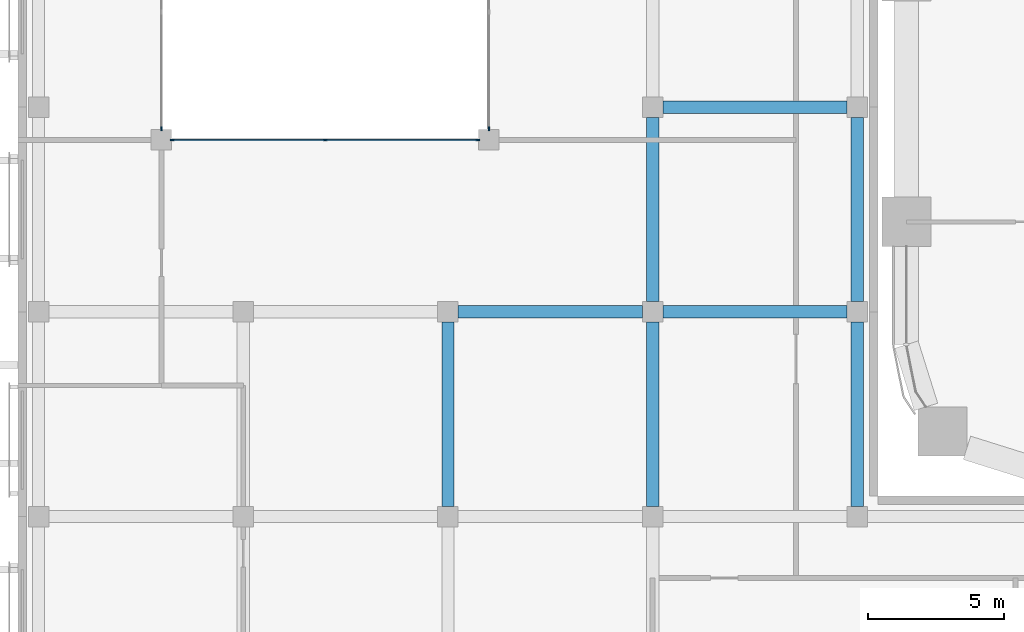
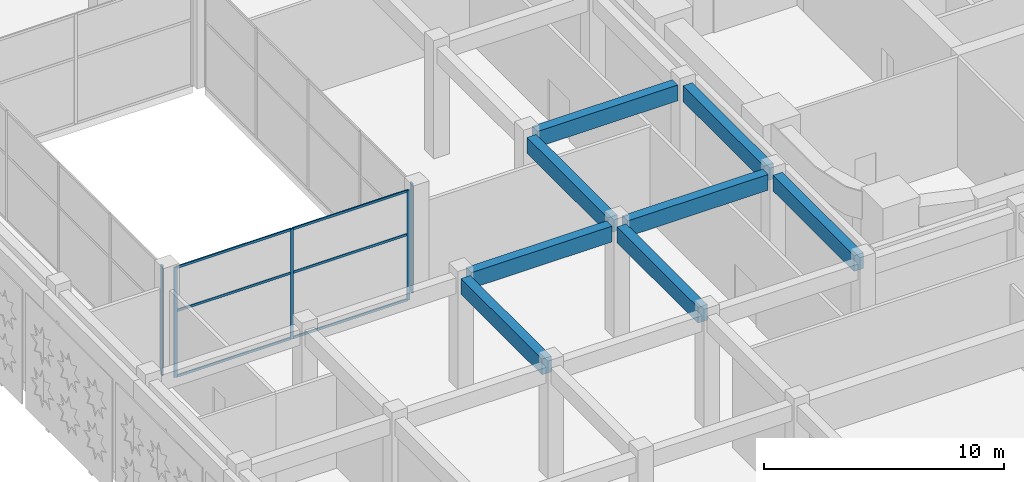
# One storey, part 2 of 46: 11 members, 8 beams, 3 elements without a shape of their own.
"""IFC4 building model written with IfcOpenShell, lengths in metres."""

from ifc_helpers import new_model, si_unit, direction, frame, origin, origin_2d, place, context, subcontext, project, spatial, rectangle, extrude, material, layer, layer_set, material_profile, profile_set, type_object, element, aggregate, save


model = new_model("IFC4")

# Units and contexts
model_context = context("Model", 3, precision=1e-05, world=origin(), true_north=direction((0.0, 1.0)))
body_context = subcontext(model_context, "Body", "Model", "MODEL_VIEW")
ifc_project = project(units=[si_unit("LENGTHUNIT", "METRE"), si_unit("AREAUNIT", "SQUARE_METRE"), si_unit("VOLUMEUNIT", "CUBIC_METRE"), si_unit("PLANEANGLEUNIT", "RADIAN"), si_unit("MASSUNIT", "GRAM", prefix="KILO")], contexts=[model_context])

# Site, building, storey
site_placement = place(None, origin())
site = spatial("IfcSite", under=ifc_project, at=site_placement, CompositionType="ELEMENT")
building_placement = place(site_placement, origin())
building = spatial("IfcBuilding", under=site, at=building_placement, Name="Tessera Arch", CompositionType="ELEMENT")
storey_placement = place(building_placement, frame((0.0, 0.0, 8.0)))
storey = spatial("IfcBuildingStorey", under=building, at=storey_placement, Name="L01", CompositionType="ELEMENT", Elevation=8.0)

# Curtain wall, members
ifc_material_1 = material(Name="Aluminium and clear glass", Category="aluminium")
ifc_layer = layer(ifc_material_1, 0.1201171875)
ifc_layer_set = layer_set([ifc_layer], Name="Courtyard curtain wall")
curtain_wall_type = type_object("IfcCurtainWallType", Name="Courtyard curtain wall", PredefinedType="NOTDEFINED", material=ifc_layer_set)
curtain_wall_1_placement = place(storey_placement, origin())
curtain_wall_1 = element("IfcCurtainWall", 1, at=curtain_wall_1_placement, inside=storey, type_object=curtain_wall_type, Name="Courtyard curtain wall L01 1", PredefinedType="NOTDEFINED")
ifc_material_2 = material(Name="Aluminium alloy anodised", Category="aluminium")
ifc_material_profile_1 = material_profile(ifc_material_2, rectangle(XDim=0.06005859375, YDim=0.14990234375, at=origin_2d()), Name="Courtyard mullion")
ifc_profile_set_1 = profile_set([ifc_material_profile_1], Name="Aluminium alloy anodised")
member_type_1 = type_object("IfcMemberType", Name="Courtyard mullion", PredefinedType="MULLION", material=ifc_profile_set_1)
member_1_placement = place(storey_placement, frame((-26.89501953125, 12.0, 0.0), z_axis=(0.0, 0.0, 1.0), x_axis=(0.0, 1.0, 0.0)))
member_1 = element("IfcMember", 2, at=member_1_placement, type_object=member_type_1, Name="MCW1 mullion 1", PredefinedType="MULLION", context=body_context, shape_type="SweptSolid", body=[
    extrude(rectangle(XDim=0.06005859375, YDim=0.14990234375, at=origin_2d()), origin(), (0.0, 0.0, 1.0), 5.590087890625),
])
member_2_placement = place(storey_placement, frame((-21.300048828125, 12.0, 0.0), z_axis=(0.0, 0.0, 1.0), x_axis=(0.0, 1.0, 0.0)))
member_2 = element("IfcMember", 3, at=member_2_placement, type_object=member_type_1, Name="MCW1 mullion 2", PredefinedType="MULLION", context=body_context, shape_type="SweptSolid", body=[
    extrude(rectangle(XDim=0.06005859375, YDim=0.14990234375, at=origin_2d()), origin(), (0.0, 0.0, 1.0), 5.590087890625),
])
member_3_placement = place(storey_placement, frame((-15.705078125, 12.0, 0.0), z_axis=(0.0, 0.0, 1.0), x_axis=(0.0, 1.0, 0.0)))
member_3 = element("IfcMember", 4, at=member_3_placement, type_object=member_type_1, Name="MCW1 mullion 3", PredefinedType="MULLION", context=body_context, shape_type="SweptSolid", body=[
    extrude(rectangle(XDim=0.06005859375, YDim=0.14990234375, at=origin_2d()), origin(), (0.0, 0.0, 1.0), 5.590087890625),
])

# Curtain wall, member
curtain_wall_2_placement = place(storey_placement, origin())
curtain_wall_2 = element("IfcCurtainWall", 5, at=curtain_wall_2_placement, inside=storey, type_object=curtain_wall_type, Name="Courtyard curtain wall L01 2", PredefinedType="NOTDEFINED")
member_4_placement = place(storey_placement, frame((-15.300048828125, 12.405029296875, 0.0), z_axis=(0.0, 0.0, 1.0), x_axis=(-1.0, 0.0, 0.0)))
member_4 = element("IfcMember", 6, at=member_4_placement, type_object=member_type_1, Name="MCW1 mullion 1", PredefinedType="MULLION", context=body_context, shape_type="SweptSolid", body=[
    extrude(rectangle(XDim=0.06005859375, YDim=0.14990234375, at=origin_2d()), origin(), (0.0, 0.0, 1.0), 5.590087890625),
])
aggregate(curtain_wall_2, [member_4])

curtain_wall_3_placement = place(storey_placement, origin())
curtain_wall_3 = element("IfcCurtainWall", 7, at=curtain_wall_3_placement, inside=storey, type_object=curtain_wall_type, Name="Courtyard curtain wall L01 4", PredefinedType="NOTDEFINED")
member_5_placement = place(storey_placement, frame((-27.300048828125, 12.405029296875, 0.0), z_axis=(0.0, 0.0, 1.0), x_axis=(1.0, 0.0, 0.0)))
member_5 = element("IfcMember", 8, at=member_5_placement, type_object=member_type_1, Name="MCW1 mullion 5", PredefinedType="MULLION", context=body_context, shape_type="SweptSolid", body=[
    extrude(rectangle(XDim=0.06005859375, YDim=0.14990234375, at=origin_2d()), origin(), (0.0, 0.0, 1.0), 5.590087890625),
])
aggregate(curtain_wall_3, [member_5])

# Member
ifc_material_3 = material(Name="Aluminium alloy anodised", Category="aluminium")
ifc_material_profile_2 = material_profile(ifc_material_3, rectangle(XDim=0.06005859375, YDim=0.1201171875, at=origin_2d()), Name="Courtyard transom")
ifc_profile_set_2 = profile_set([ifc_material_profile_2], Name="Aluminium alloy anodised")
member_type_2 = type_object("IfcMemberType", Name="Courtyard transom", PredefinedType="USERDEFINED", material=ifc_profile_set_2)
member_6_placement = place(storey_placement, frame((-26.864990234375, 12.0, 0.030029296875), z_axis=(1.0, 0.0, 0.0), x_axis=(0.0, 1.0, 0.0)))
member_6 = element("IfcMember", 9, at=member_6_placement, type_object=member_type_2, Name="MCW1 transom 1.1", ObjectType="TRANSOM", PredefinedType="USERDEFINED", context=body_context, shape_type="SweptSolid", body=[
    extrude(rectangle(XDim=0.06005859375, YDim=0.1201171875, at=origin_2d()), origin(), (0.0, 0.0, 1.0), 5.534912109375),
])

member_7_placement = place(storey_placement, frame((-26.864990234375, 12.0, 3.35400390625), z_axis=(1.0, 0.0, 0.0), x_axis=(0.0, 1.0, 0.0)))
member_7 = element("IfcMember", 10, at=member_7_placement, type_object=member_type_2, Name="MCW1 transom 1.2", ObjectType="TRANSOM", PredefinedType="USERDEFINED", context=body_context, shape_type="SweptSolid", body=[
    extrude(rectangle(XDim=0.06005859375, YDim=0.1201171875, at=origin_2d()), origin(), (0.0, 0.0, 1.0), 5.534912109375),
])

member_8_placement = place(storey_placement, frame((-26.864990234375, 12.0, 5.56005859375), z_axis=(1.0, 0.0, 0.0), x_axis=(0.0, 1.0, 0.0)))
member_8 = element("IfcMember", 11, at=member_8_placement, type_object=member_type_2, Name="MCW1 transom 1.3", ObjectType="TRANSOM", PredefinedType="USERDEFINED", context=body_context, shape_type="SweptSolid", body=[
    extrude(rectangle(XDim=0.06005859375, YDim=0.1201171875, at=origin_2d()), origin(), (0.0, 0.0, 1.0), 5.534912109375),
])

member_9_placement = place(storey_placement, frame((-21.27001953125, 12.0, 0.030029296875), z_axis=(1.0, 0.0, 0.0), x_axis=(0.0, 1.0, 0.0)))
member_9 = element("IfcMember", 12, at=member_9_placement, type_object=member_type_2, Name="MCW1 transom 2.1", ObjectType="TRANSOM", PredefinedType="USERDEFINED", context=body_context, shape_type="SweptSolid", body=[
    extrude(rectangle(XDim=0.06005859375, YDim=0.1201171875, at=origin_2d()), origin(), (0.0, 0.0, 1.0), 5.534912109375),
])

member_10_placement = place(storey_placement, frame((-21.27001953125, 12.0, 3.35400390625), z_axis=(1.0, 0.0, 0.0), x_axis=(0.0, 1.0, 0.0)))
member_10 = element("IfcMember", 13, at=member_10_placement, type_object=member_type_2, Name="MCW1 transom 2.2", ObjectType="TRANSOM", PredefinedType="USERDEFINED", context=body_context, shape_type="SweptSolid", body=[
    extrude(rectangle(XDim=0.06005859375, YDim=0.1201171875, at=origin_2d()), origin(), (0.0, 0.0, 1.0), 5.534912109375),
])

member_11_placement = place(storey_placement, frame((-21.27001953125, 12.0, 5.56005859375), z_axis=(1.0, 0.0, 0.0), x_axis=(0.0, 1.0, 0.0)))
member_11 = element("IfcMember", 14, at=member_11_placement, type_object=member_type_2, Name="MCW1 transom 2.3", ObjectType="TRANSOM", PredefinedType="USERDEFINED", context=body_context, shape_type="SweptSolid", body=[
    extrude(rectangle(XDim=0.06005859375, YDim=0.1201171875, at=origin_2d()), origin(), (0.0, 0.0, 1.0), 5.534912109375),
])

aggregate(curtain_wall_1, [member_1, member_2, member_3, member_6, member_7, member_8, member_9, member_10, member_11])

# Beams
ifc_material_4 = material(Name="Concrete C40/50", Category="concrete")
ifc_material_profile_3 = material_profile(ifc_material_4, rectangle(XDim=0.449951171875, YDim=0.800048828125, at=origin_2d()), Name="Museum beam 450 x 800 Concrete C40/50")
ifc_profile_set_3 = profile_set([ifc_material_profile_3], Name="Concrete C40/50")
beam_type = type_object("IfcBeamType", Name="Museum beam 450 x 800 Concrete C40/50", PredefinedType="BEAM", material=ifc_profile_set_3)
for number, where, z_axis, x_axis, name in (
    (15, (-16.800048828125, -1.425048828125, 5.18994140625), (0.0, 1.0, 0.0), (-1.0, 0.0, 0.0), "Museum beam L01 17"),
    (16, (-9.300048828125, -1.425048828125, 5.18994140625), (0.0, 1.0, 0.0), (-1.0, 0.0, 0.0), "Museum beam L01 26"),
    (17, (-9.300048828125, 6.074951171875, 5.18994140625), (0.0, 1.0, 0.0), (-1.0, 0.0, 0.0), "Museum beam L01 27"),
    (18, (-1.800048828125, -1.425048828125, 5.18994140625), (0.0, 1.0, 0.0), (-1.0, 0.0, 0.0), "Museum beam L01 34"),
    (19, (-1.800048828125, 6.074951171875, 5.18994140625), (0.0, 1.0, 0.0), (-1.0, 0.0, 0.0), "Museum beam L01 35"),
    (20, (-16.425048828125, 5.699951171875, 5.18994140625), (1.0, 0.0, 0.0), (0.0, 1.0, 0.0), "Museum beam L01 62"),
    (21, (-8.925048828125, 5.699951171875, 5.18994140625), (1.0, 0.0, 0.0), (0.0, 1.0, 0.0), "Museum beam L01 63"),
    (22, (-8.925048828125, 13.199951171875, 5.18994140625), (1.0, 0.0, 0.0), (0.0, 1.0, 0.0), "Museum beam L01 64"),
):
    element("IfcBeam", number, at=place(storey_placement, frame(where, z_axis=z_axis, x_axis=x_axis)), inside=storey, type_object=beam_type, Name=name, PredefinedType="BEAM", context=body_context, shape_type="SweptSolid", body=[
        extrude(rectangle(XDim=0.449951171875, YDim=0.800048828125, at=origin_2d()), origin(), (0.0, 0.0, 1.0), 6.75),
    ])

save(model, "model.ifc")
